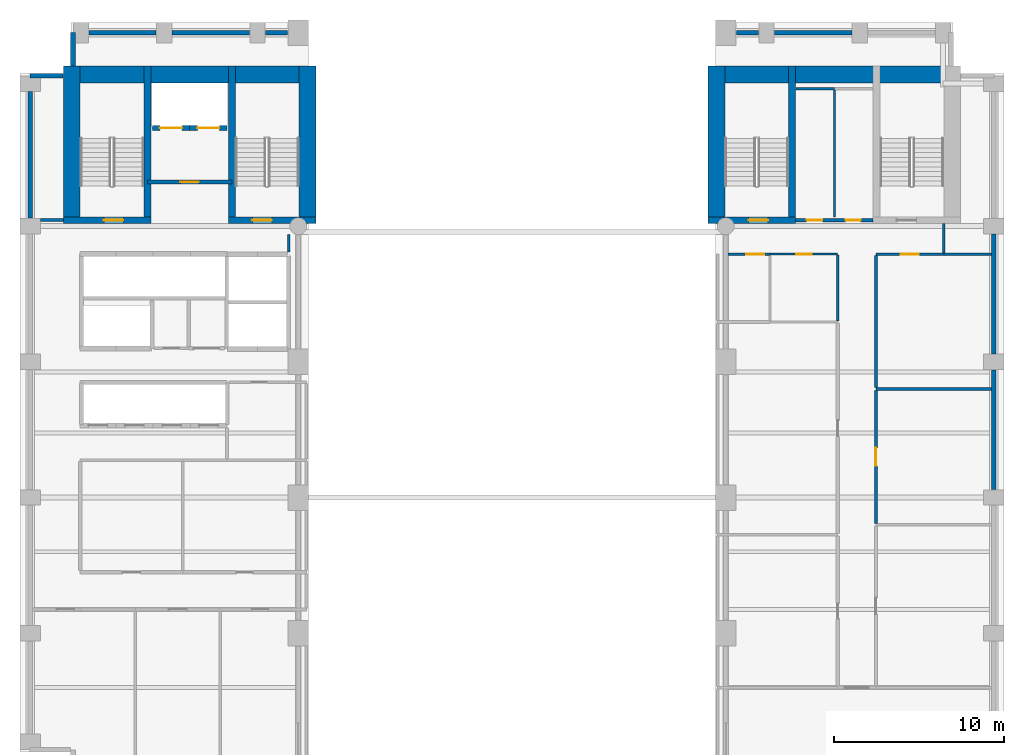
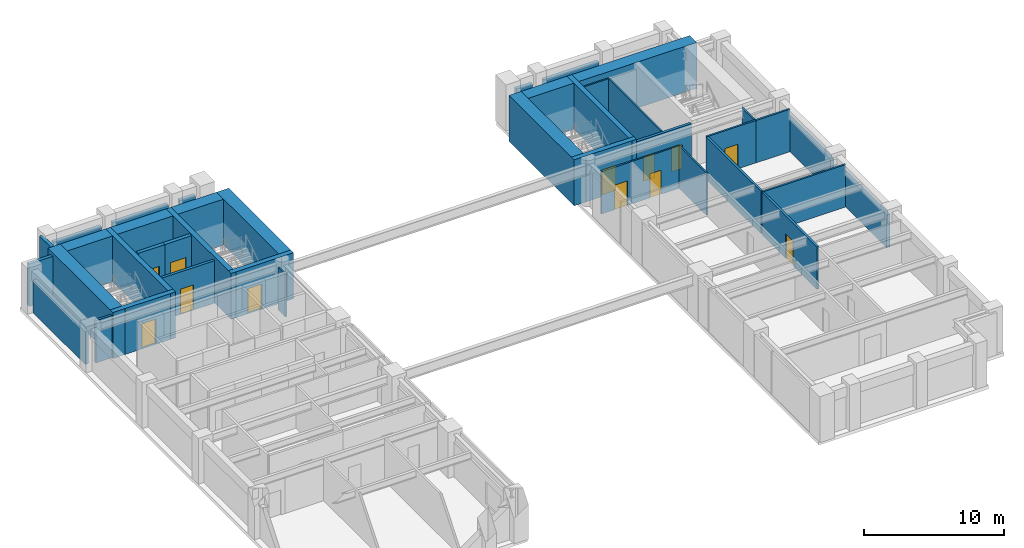
# One storey, part 4 of 7: 38 walls, 12 doors, 12 openings.
"""IFC4 building model written with IfcOpenShell, lengths in metres."""

from ifc_helpers import new_model, si_unit, direction, frame, frame_2d, origin, place, context, subcontext, project, spatial, rectangle, extrude, material, layer, layer_set, type_object, element, fill, save


model = new_model("IFC4")

# Units and contexts
model_context = context("Model", 3, precision=1e-05, world=origin(), true_north=direction((0.0, 1.0)))
body_context = subcontext(model_context, "Body", "Model", "MODEL_VIEW")
ifc_project = project(units=[si_unit("LENGTHUNIT", "METRE"), si_unit("AREAUNIT", "SQUARE_METRE"), si_unit("VOLUMEUNIT", "CUBIC_METRE"), si_unit("PLANEANGLEUNIT", "RADIAN"), si_unit("MASSUNIT", "GRAM", prefix="KILO")], contexts=[model_context])

# Site, building, storey
site_placement = place(None, origin())
site = spatial("IfcSite", under=ifc_project, at=site_placement, CompositionType="ELEMENT")
building_placement = place(site_placement, origin())
building = spatial("IfcBuilding", under=site, at=building_placement, Name="Sulina Concourse Tower", CompositionType="ELEMENT")
storey_placement = place(building_placement, frame((0.0, 0.0, 34.60009765625)))
storey = spatial("IfcBuildingStorey", under=building, at=storey_placement, Name="L08", CompositionType="ELEMENT", Elevation=34.60009765625)

# Wall, opening, door
ifc_material_1 = material(Name="Concrete C50/60", Category="concrete")
ifc_layer_1 = layer(ifc_material_1, 0.300048828125)
ifc_layer_set_1 = layer_set([ifc_layer_1], Name="Concrete C50/60")
wall_type_1 = type_object("IfcWallType", Name="Core Lift Hoistway Wall 300mm", PredefinedType="SOLIDWALL", material=ifc_layer_set_1)
wall_1_placement = place(storey_placement, frame((10.0, 39.780029296875, 0.0), z_axis=(0.0, 0.0, 1.0), x_axis=(-1.0, 0.0, 0.0)))
wall_1 = element("IfcWall", 1, at=wall_1_placement, inside=storey, type_object=wall_type_1, Name="L08 hoistway enclosure wall FFL-1", PredefinedType="SOLIDWALL", context=body_context, shape_type="SweptSolid", body=[
    extrude(rectangle(XDim=2.199951171875, YDim=0.300048828125, at=frame_2d((1.10009765625, 0.0))), origin(), (0.0, 0.0, 1.0), 4.0),
])
opening_1_placement = place(wall_1_placement, frame((0.449951171875, 0.0, 0.0)))
opening_1 = element("IfcOpeningElement", 2, at=opening_1_placement, cuts=wall_1, Name="Opening LD-02", PredefinedType="OPENING", context=body_context, shape_type="SweptSolid", body=[
    extrude(rectangle(XDim=1.300048828125, YDim=2.25, at=frame_2d((0.64990234375, 1.125))), frame((0.0, 0.159912109375, 0.0), z_axis=(0.0, -1.0, 0.0), x_axis=(1.0, 0.0, 0.0)), (0.0, 0.0, 1.0), 0.320068359375),
])
ifc_material_2 = material(Name="Stainless steel lift landing door", Category="steel")
ifc_layer_2 = layer(ifc_material_2, 0.050048828125)
ifc_layer_set_2 = layer_set([ifc_layer_2], Name="Stainless steel lift landing door")
door_type_1 = type_object("IfcDoorType", Name="Firefighting Lift Sliding Landing Door 1300x2250", OperationType="SLIDING_TO_RIGHT", PredefinedType="DOOR", material=ifc_layer_set_2)
door_1_placement = place(opening_1_placement, origin())
door_1 = element("IfcDoor", 3, at=door_1_placement, inside=storey, type_object=door_type_1, Name="L08 lift landing sliding door FFL-1", OperationType="SLIDING_TO_LEFT", OverallHeight=2.25, OverallWidth=1.300048828125, PredefinedType="DOOR", context=body_context, shape_type="SweptSolid", body=[
    extrude(rectangle(XDim=1.300048828125, YDim=2.25, at=frame_2d((0.64990234375, 1.125))), frame((0.0, 0.02490234375, 0.0), z_axis=(0.0, -1.0, 0.0), x_axis=(1.0, 0.0, 0.0)), (0.0, 0.0, 1.0), 0.050048828125),
])
fill(opening_1, door_1)

wall_2_placement = place(storey_placement, frame((12.199951171875, 39.780029296875, 0.0), z_axis=(0.0, 0.0, 1.0), x_axis=(-1.0, 0.0, 0.0)))
wall_2 = element("IfcWall", 4, at=wall_2_placement, inside=storey, type_object=wall_type_1, Name="L08 hoistway enclosure wall FFL-2", PredefinedType="SOLIDWALL", context=body_context, shape_type="SweptSolid", body=[
    extrude(rectangle(XDim=2.199951171875, YDim=0.300048828125, at=frame_2d((1.10009765625, 0.0))), origin(), (0.0, 0.0, 1.0), 4.0),
])
opening_2_placement = place(wall_2_placement, frame((0.449951171875, 0.0, 0.0)))
opening_2 = element("IfcOpeningElement", 5, at=opening_2_placement, cuts=wall_2, Name="Opening LD-02", PredefinedType="OPENING", context=body_context, shape_type="SweptSolid", body=[
    extrude(rectangle(XDim=1.300048828125, YDim=2.25, at=frame_2d((0.64990234375, 1.125))), frame((0.0, 0.159912109375, 0.0), z_axis=(0.0, -1.0, 0.0), x_axis=(1.0, 0.0, 0.0)), (0.0, 0.0, 1.0), 0.320068359375),
])
door_2_placement = place(opening_2_placement, origin())
door_2 = element("IfcDoor", 6, at=door_2_placement, inside=storey, type_object=door_type_1, Name="L08 lift landing sliding door FFL-2", OperationType="SLIDING_TO_RIGHT", OverallHeight=2.25, OverallWidth=1.300048828125, PredefinedType="DOOR", context=body_context, shape_type="SweptSolid", body=[
    extrude(rectangle(XDim=1.300048828125, YDim=2.25, at=frame_2d((0.64990234375, 1.125))), frame((0.0, 0.02490234375, 0.0), z_axis=(0.0, -1.0, 0.0), x_axis=(1.0, 0.0, 0.0)), (0.0, 0.0, 1.0), 0.050048828125),
])
fill(opening_2, door_2)

ifc_material_3 = material(Name="Gypsum board on steel stud", Category="steel")
ifc_layer_3 = layer(ifc_material_3, 0.219970703125)
ifc_layer_set_3 = layer_set([ifc_layer_3], Name="Gypsum board on steel stud")
wall_type_2 = type_object("IfcWallType", Name="Fire-Rated Lobby & Compartment Wall 220mm", PredefinedType="PARTITIONING", material=ifc_layer_set_3)
wall_3_placement = place(storey_placement, frame((7.510009765625, 36.60009765625, 0.0), z_axis=(0.0, 0.0, 1.0), x_axis=(1.0, 0.0, 0.0)))
wall_3 = element("IfcWall", 7, at=wall_3_placement, inside=storey, type_object=wall_type_2, Name="L08 firefighting lobby south fire wall", PredefinedType="PARTITIONING", context=body_context, shape_type="SweptSolid", body=[
    extrude(rectangle(XDim=4.97998046875, YDim=0.219970703125, at=frame_2d((2.489990234375, 0.0))), origin(), (0.0, 0.0, 1.0), 3.699951171875),
])
opening_3_placement = place(wall_3_placement, frame((1.93994140625, 0.0, 0.0)))
opening_3 = element("IfcOpeningElement", 8, at=opening_3_placement, cuts=wall_3, Name="Opening DR-47", PredefinedType="OPENING", context=body_context, shape_type="SweptSolid", body=[
    extrude(rectangle(XDim=1.10009765625, YDim=2.199951171875, at=frame_2d((0.550048828125, 1.10009765625))), frame((0.0, 0.119873046875, 0.0), z_axis=(0.0, -1.0, 0.0), x_axis=(1.0, 0.0, 0.0)), (0.0, 0.0, 1.0), 0.239990234375),
])
ifc_material_4 = material(Name="Galvanised steel acoustic fire leaf", Category="steel")
ifc_layer_4 = layer(ifc_material_4, 0.054931640625)
ifc_layer_set_4 = layer_set([ifc_layer_4], Name="Galvanised steel acoustic fire leaf")
door_type_2 = type_object("IfcDoorType", Name="Firefighting Lobby Fire Door 1100x2200", OperationType="NOTDEFINED", PredefinedType="DOOR", material=ifc_layer_set_4)
door_3_placement = place(opening_3_placement, origin())
door_3 = element("IfcDoor", 9, at=door_3_placement, inside=storey, type_object=door_type_2, Name="L08 firefighting lobby fire door", OperationType="SINGLE_SWING_LEFT", OverallHeight=2.199951171875, OverallWidth=1.10009765625, PredefinedType="DOOR", context=body_context, shape_type="SweptSolid", body=[
    extrude(rectangle(XDim=1.10009765625, YDim=2.199951171875, at=frame_2d((0.550048828125, 1.10009765625))), frame((0.0, 0.02490234375, 0.0), z_axis=(0.0, -1.0, 0.0), x_axis=(1.0, 0.0, 0.0)), (0.0, 0.0, 1.0), 0.050048828125),
])
fill(opening_3, door_3)

# Wall, openings, doors
wall_4_placement = place(storey_placement, frame((45.719970703125, 34.35009765625, 0.0), z_axis=(0.0, 0.0, 1.0), x_axis=(1.0, 0.0, 0.0)))
wall_4 = element("IfcWall", 10, at=wall_4_placement, inside=storey, type_object=wall_type_2, Name="L08 east core south lobby wall", PredefinedType="PARTITIONING", context=body_context, shape_type="SweptSolid", body=[
    extrude(rectangle(XDim=4.56005859375, YDim=0.219970703125, at=frame_2d((2.280029296875, 0.0))), origin(), (0.0, 0.0, 1.0), 3.699951171875),
])
opening_4_placement = place(wall_4_placement, frame((0.64990234375, 0.0, 0.0)))
opening_4 = element("IfcOpeningElement", 11, at=opening_4_placement, cuts=wall_4, Name="Opening DR-61", PredefinedType="OPENING", context=body_context, shape_type="SweptSolid", body=[
    extrude(rectangle(XDim=0.919921875, YDim=2.10009765625, at=frame_2d((0.4599609375, 1.050048828125))), frame((0.0, 0.119873046875, 0.0), z_axis=(0.0, -1.0, 0.0), x_axis=(1.0, 0.0, 0.0)), (0.0, 0.0, 1.0), 0.239990234375),
])
opening_5_placement = place(wall_4_placement, frame((2.949951171875, 0.0, 0.0)))
opening_5 = element("IfcOpeningElement", 12, at=opening_5_placement, cuts=wall_4, Name="Opening DR-38", PredefinedType="OPENING", context=body_context, shape_type="SweptSolid", body=[
    extrude(rectangle(XDim=0.8798828125, YDim=2.10009765625, at=frame_2d((0.43994140625, 1.050048828125))), frame((0.0, 0.119873046875, 0.0), z_axis=(0.0, -1.0, 0.0), x_axis=(1.0, 0.0, 0.0)), (0.0, 0.0, 1.0), 0.239990234375),
])
ifc_material_5 = material(Name="Oak-veneered fire door leaf")
ifc_layer_5 = layer(ifc_material_5, 0.050048828125)
ifc_layer_set_5 = layer_set([ifc_layer_5], Name="Oak-veneered fire door leaf")
door_type_3 = type_object("IfcDoorType", Name="Accessible WC Door 920x2100", OperationType="NOTDEFINED", PredefinedType="DOOR", material=ifc_layer_set_5)
door_4_placement = place(opening_4_placement, origin())
door_4 = element("IfcDoor", 13, at=door_4_placement, inside=storey, type_object=door_type_3, Name="L08 east core accessible wc door", OperationType="SINGLE_SWING_LEFT", OverallHeight=2.10009765625, OverallWidth=0.919921875, PredefinedType="DOOR", context=body_context, shape_type="SweptSolid", body=[
    extrude(rectangle(XDim=0.919921875, YDim=2.10009765625, at=frame_2d((0.4599609375, 1.050048828125))), frame((0.0, 0.02490234375, 0.0), z_axis=(0.0, -1.0, 0.0), x_axis=(1.0, 0.0, 0.0)), (0.0, 0.0, 1.0), 0.050048828125),
])
fill(opening_4, door_4)
ifc_material_6 = material(Name="Galvanised steel acoustic fire leaf", Category="steel")
ifc_layer_6 = layer(ifc_material_6, 0.050048828125)
ifc_layer_set_6 = layer_set([ifc_layer_6], Name="Galvanised steel acoustic fire leaf")
door_type_4 = type_object("IfcDoorType", Name="Service Riser Fire Door 880x2100", OperationType="NOTDEFINED", PredefinedType="DOOR", material=ifc_layer_set_6)
door_5_placement = place(opening_5_placement, origin())
door_5 = element("IfcDoor", 14, at=door_5_placement, inside=storey, type_object=door_type_4, Name="L08 east core store door", OperationType="SINGLE_SWING_RIGHT", OverallHeight=2.10009765625, OverallWidth=0.8798828125, PredefinedType="DOOR", context=body_context, shape_type="SweptSolid", body=[
    extrude(rectangle(XDim=0.8798828125, YDim=2.10009765625, at=frame_2d((0.43994140625, 1.050048828125))), frame((0.0, 0.02490234375, 0.0), z_axis=(0.0, -1.0, 0.0), x_axis=(1.0, 0.0, 0.0)), (0.0, 0.0, 1.0), 0.050048828125),
])
fill(opening_5, door_5)

# Wall
ifc_material_7 = material(Name="Gypsum board on steel stud", Category="steel")
ifc_layer_7 = layer(ifc_material_7, 0.14990234375)
ifc_layer_set_7 = layer_set([ifc_layer_7], Name="Gypsum board on steel stud")
wall_type_3 = type_object("IfcWallType", Name="Inter-Tenancy Acoustic Partition 150mm", PredefinedType="PARTITIONING", material=ifc_layer_set_7)
wall_5_placement = place(storey_placement, frame((50.449951171875, 24.39990234375, 0.0), z_axis=(0.0, 0.0, 1.0), x_axis=(1.0, 0.0, 0.0)))
element("IfcWall", 15, at=wall_5_placement, inside=storey, type_object=wall_type_3, Name="L08 interior partition 015", PredefinedType="PARTITIONING", context=body_context, shape_type="SweptSolid", body=[
    extrude(rectangle(XDim=6.81005859375, YDim=0.14990234375, at=frame_2d((3.405029296875, 0.0))), origin(), (0.0, 0.0, 1.0), 3.699951171875),
])

# Wall, opening, door
wall_6_placement = place(storey_placement, frame((41.739990234375, 32.35009765625, 0.0), z_axis=(0.0, 0.0, 1.0), x_axis=(1.0, 0.0, 0.0)))
wall_6 = element("IfcWall", 16, at=wall_6_placement, inside=storey, type_object=wall_type_3, Name="L08 interior partition 022", PredefinedType="PARTITIONING", context=body_context, shape_type="SweptSolid", body=[
    extrude(rectangle(XDim=2.4599609375, YDim=0.14990234375, at=frame_2d((1.22998046875, 0.0))), origin(), (0.0, 0.0, 1.0), 3.699951171875),
])
opening_6_placement = place(wall_6_placement, frame((1.06494140625, 0.0, 0.0)))
opening_6 = element("IfcOpeningElement", 17, at=opening_6_placement, cuts=wall_6, Name="Opening DR-37", PredefinedType="OPENING", context=body_context, shape_type="SweptSolid", body=[
    extrude(rectangle(XDim=1.050048828125, YDim=2.14990234375, at=frame_2d((0.52490234375, 1.074951171875))), frame((0.0, 0.0849609375, 0.0), z_axis=(0.0, -1.0, 0.0), x_axis=(1.0, 0.0, 0.0)), (0.0, 0.0, 1.0), 0.169921875),
])
ifc_material_8 = material(Name="Oak-veneered fire door leaf")
ifc_layer_8 = layer(ifc_material_8, 0.050048828125)
ifc_layer_set_8 = layer_set([ifc_layer_8], Name="Oak-veneered fire door leaf")
door_type_5 = type_object("IfcDoorType", Name="Tenant Suite Entrance Fire Door 1050x2150", OperationType="NOTDEFINED", PredefinedType="DOOR", material=ifc_layer_set_8)
door_6_placement = place(opening_6_placement, origin())
door_6 = element("IfcDoor", 18, at=door_6_placement, inside=storey, type_object=door_type_5, Name="L08 interior door L08-REC-EW", OperationType="SINGLE_SWING_LEFT", OverallHeight=2.14990234375, OverallWidth=1.050048828125, PredefinedType="DOOR", context=body_context, shape_type="SweptSolid", body=[
    extrude(rectangle(XDim=1.050048828125, YDim=2.14990234375, at=frame_2d((0.52490234375, 1.074951171875))), frame((0.0, 0.02490234375, 0.0), z_axis=(0.0, -1.0, 0.0), x_axis=(1.0, 0.0, 0.0)), (0.0, 0.0, 1.0), 0.050048828125),
])
fill(opening_6, door_6)

wall_7_placement = place(storey_placement, frame((50.449951171875, 32.35009765625, 0.0), z_axis=(0.0, 0.0, 1.0), x_axis=(1.0, 0.0, 0.0)))
wall_7 = element("IfcWall", 19, at=wall_7_placement, inside=storey, type_object=wall_type_3, Name="L08 interior partition 024", PredefinedType="PARTITIONING", context=body_context, shape_type="SweptSolid", body=[
    extrude(rectangle(XDim=4.0, YDim=0.14990234375, at=frame_2d((2.0, 0.0))), origin(), (0.0, 0.0, 1.0), 3.699951171875),
])
opening_7_placement = place(wall_7_placement, frame((1.47509765625, 0.0, 0.0)))
opening_7 = element("IfcOpeningElement", 20, at=opening_7_placement, cuts=wall_7, Name="Opening DR-37", PredefinedType="OPENING", context=body_context, shape_type="SweptSolid", body=[
    extrude(rectangle(XDim=1.050048828125, YDim=2.14990234375, at=frame_2d((0.52490234375, 1.074951171875))), frame((0.0, 0.0849609375, 0.0), z_axis=(0.0, -1.0, 0.0), x_axis=(1.0, 0.0, 0.0)), (0.0, 0.0, 1.0), 0.169921875),
])
door_7_placement = place(opening_7_placement, origin())
door_7 = element("IfcDoor", 21, at=door_7_placement, inside=storey, type_object=door_type_5, Name="L08 interior door L08-OFF-E3", OperationType="SINGLE_SWING_LEFT", OverallHeight=2.14990234375, OverallWidth=1.050048828125, PredefinedType="DOOR", context=body_context, shape_type="SweptSolid", body=[
    extrude(rectangle(XDim=1.050048828125, YDim=2.14990234375, at=frame_2d((0.52490234375, 1.074951171875))), frame((0.0, 0.02490234375, 0.0), z_axis=(0.0, -1.0, 0.0), x_axis=(1.0, 0.0, 0.0)), (0.0, 0.0, 1.0), 0.050048828125),
])
fill(opening_7, door_7)

# Walls
wall_8_placement = place(storey_placement, frame((54.449951171875, 32.35009765625, 0.0), z_axis=(0.0, 0.0, 1.0), x_axis=(1.0, 0.0, 0.0)))
element("IfcWall", 22, at=wall_8_placement, inside=storey, type_object=wall_type_3, Name="L08 interior partition 025", PredefinedType="PARTITIONING", context=body_context, shape_type="SweptSolid", body=[
    extrude(rectangle(XDim=2.81005859375, YDim=0.14990234375, at=frame_2d((1.405029296875, 0.0))), origin(), (0.0, 0.0, 1.0), 3.699951171875),
])
wall_9_placement = place(storey_placement, frame((15.85009765625, 32.469970703125, 0.0), z_axis=(0.0, 0.0, 1.0), x_axis=(0.0, 1.0, 0.0)))
element("IfcWall", 23, at=wall_9_placement, inside=storey, type_object=wall_type_3, Name="L08 interior partition 035", PredefinedType="PARTITIONING", context=body_context, shape_type="SweptSolid", body=[
    extrude(rectangle(XDim=1.030029296875, YDim=0.14990234375, at=frame_2d((0.51513671875, 0.0))), origin(), (0.0, 0.0, 1.0), 3.699951171875),
])
wall_10_placement = place(storey_placement, frame((54.449951171875, 32.425048828125, 0.0), z_axis=(0.0, 0.0, 1.0), x_axis=(0.0, 1.0, 0.0)))
element("IfcWall", 24, at=wall_10_placement, inside=storey, type_object=wall_type_3, Name="L08 interior partition 056", PredefinedType="PARTITIONING", context=body_context, shape_type="SweptSolid", body=[
    extrude(rectangle(XDim=1.724853515625, YDim=0.14990234375, at=frame_2d((0.8623046875, 0.0))), origin(), (0.0, 0.0, 1.0), 3.699951171875),
])
ifc_material_9 = material(Name="Gypsum board on steel stud", Category="steel")
ifc_layer_9 = layer(ifc_material_9, 0.179931640625)
ifc_layer_set_9 = layer_set([ifc_layer_9], Name="Gypsum board on steel stud")
wall_type_4 = type_object("IfcWallType", Name="Protected Corridor & Riser Partition 180mm", PredefinedType="PARTITIONING", material=ifc_layer_set_9)
wall_11_placement = place(storey_placement, frame((1.199951171875, 34.35009765625, 0.0), z_axis=(0.0, 0.0, 1.0), x_axis=(1.0, 0.0, 0.0)))
element("IfcWall", 25, at=wall_11_placement, inside=storey, type_object=wall_type_4, Name="L08 interior partition 026", PredefinedType="PARTITIONING", context=body_context, shape_type="SweptSolid", body=[
    extrude(rectangle(XDim=1.35009765625, YDim=0.179931640625, at=frame_2d((0.675048828125, 0.0))), origin(), (0.0, 0.0, 1.0), 3.699951171875),
])

# Wall, opening, door
wall_12_placement = place(storey_placement, frame((50.449951171875, 16.47509765625, 0.0), z_axis=(0.0, 0.0, 1.0), x_axis=(0.0, 1.0, 0.0)))
wall_12 = element("IfcWall", 26, at=wall_12_placement, inside=storey, type_object=wall_type_4, Name="L08 interior partition 054", PredefinedType="PARTITIONING", context=body_context, shape_type="SweptSolid", body=[
    extrude(rectangle(XDim=7.849853515625, YDim=0.179931640625, at=frame_2d((3.9248046875, 0.0))), origin(), (0.0, 0.0, 1.0), 3.699951171875),
])
opening_8_placement = place(wall_12_placement, frame((3.39990234375, 0.0, 0.0)))
opening_8 = element("IfcOpeningElement", 27, at=opening_8_placement, cuts=wall_12, Name="Opening DR-37", PredefinedType="OPENING", context=body_context, shape_type="SweptSolid", body=[
    extrude(rectangle(XDim=1.050048828125, YDim=2.14990234375, at=frame_2d((0.52490234375, 1.074951171875))), frame((0.0, 0.099853515625, 0.0), z_axis=(0.0, -1.0, 0.0), x_axis=(1.0, 0.0, 0.0)), (0.0, 0.0, 1.0), 0.199951171875),
])
door_8_placement = place(opening_8_placement, origin())
door_8 = element("IfcDoor", 28, at=door_8_placement, inside=storey, type_object=door_type_5, Name="L08 interior door L08-OFF-E2", OperationType="SINGLE_SWING_LEFT", OverallHeight=2.14990234375, OverallWidth=1.050048828125, PredefinedType="DOOR", context=body_context, shape_type="SweptSolid", body=[
    extrude(rectangle(XDim=1.050048828125, YDim=2.14990234375, at=frame_2d((0.52490234375, 1.074951171875))), frame((0.0, 0.02490234375, 0.0), z_axis=(0.0, -1.0, 0.0), x_axis=(1.0, 0.0, 0.0)), (0.0, 0.0, 1.0), 0.050048828125),
])
fill(opening_8, door_8)

# Wall
wall_13_placement = place(storey_placement, frame((50.449951171875, 24.47509765625, 0.0), z_axis=(0.0, 0.0, 1.0), x_axis=(0.0, 1.0, 0.0)))
element("IfcWall", 29, at=wall_13_placement, inside=storey, type_object=wall_type_4, Name="L08 interior partition 055", PredefinedType="PARTITIONING", context=body_context, shape_type="SweptSolid", body=[
    extrude(rectangle(XDim=7.7998046875, YDim=0.179931640625, at=frame_2d((3.89990234375, 0.0))), origin(), (0.0, 0.0, 1.0), 3.699951171875),
])

# Wall, opening, door
ifc_material_10 = material(Name="Concrete C60/75", Category="concrete")
ifc_layer_10 = layer(ifc_material_10, 0.39990234375)
ifc_layer_set_10 = layer_set([ifc_layer_10], Name="Concrete C60/75")
wall_type_5 = type_object("IfcWallType", Name="Protected Stair Core Shear Wall 400mm", PredefinedType="SHEAR", material=ifc_layer_set_10)
wall_14_placement = place(storey_placement, frame((2.550048828125, 34.35009765625, 0.0), z_axis=(0.0, 0.0, 1.0), x_axis=(1.0, 0.0, 0.0)))
wall_14 = element("IfcWall", 30, at=wall_14_placement, inside=storey, type_object=wall_type_5, Name="L08 west core shear wall CW-WS1", PredefinedType="SHEAR", context=body_context, shape_type="SweptSolid", body=[
    extrude(rectangle(XDim=5.159912109375, YDim=0.39990234375, at=frame_2d((2.580078125, 0.0))), origin(), (0.0, 0.0, 1.0), 4.0),
])
opening_9_placement = place(wall_14_placement, frame((2.39990234375, 0.0, 0.0)))
opening_9 = element("IfcOpeningElement", 31, at=opening_9_placement, cuts=wall_14, Name="Opening DR-60", PredefinedType="OPENING", context=body_context, shape_type="SweptSolid", body=[
    extrude(rectangle(XDim=1.14990234375, YDim=2.199951171875, at=frame_2d((0.574951171875, 1.10009765625))), frame((0.0, 0.2099609375, 0.0), z_axis=(0.0, -1.0, 0.0), x_axis=(1.0, 0.0, 0.0)), (0.0, 0.0, 1.0), 0.419921875),
])
ifc_material_11 = material(Name="Galvanised steel acoustic fire leaf", Category="steel")
ifc_layer_11 = layer(ifc_material_11, 0.054931640625)
ifc_layer_set_11 = layer_set([ifc_layer_11], Name="Galvanised steel acoustic fire leaf")
door_type_6 = type_object("IfcDoorType", Name="Protected Exit Stair Fire Door 1150x2200", OperationType="NOTDEFINED", PredefinedType="DOOR", material=ifc_layer_set_11)
door_9_placement = place(opening_9_placement, origin())
door_9 = element("IfcDoor", 32, at=door_9_placement, inside=storey, type_object=door_type_6, Name="L08 stair ST-1 lobby fire door", OperationType="SINGLE_SWING_LEFT", OverallHeight=2.199951171875, OverallWidth=1.14990234375, PredefinedType="DOOR", context=body_context, shape_type="SweptSolid", body=[
    extrude(rectangle(XDim=1.14990234375, YDim=2.199951171875, at=frame_2d((0.574951171875, 1.10009765625))), frame((0.0, 0.02490234375, 0.0), z_axis=(0.0, -1.0, 0.0), x_axis=(1.0, 0.0, 0.0)), (0.0, 0.0, 1.0), 0.050048828125),
])
fill(opening_9, door_9)

wall_15_placement = place(storey_placement, frame((12.2900390625, 34.35009765625, 0.0), z_axis=(0.0, 0.0, 1.0), x_axis=(1.0, 0.0, 0.0)))
wall_15 = element("IfcWall", 33, at=wall_15_placement, inside=storey, type_object=wall_type_5, Name="L08 west core shear wall CW-WS2", PredefinedType="SHEAR", context=body_context, shape_type="SweptSolid", body=[
    extrude(rectangle(XDim=5.159912109375, YDim=0.39990234375, at=frame_2d((2.580078125, 0.0))), origin(), (0.0, 0.0, 1.0), 4.0),
])
opening_10_placement = place(wall_15_placement, frame((1.39990234375, 0.0, 0.0)))
opening_10 = element("IfcOpeningElement", 34, at=opening_10_placement, cuts=wall_15, Name="Opening DR-60", PredefinedType="OPENING", context=body_context, shape_type="SweptSolid", body=[
    extrude(rectangle(XDim=1.14990234375, YDim=2.199951171875, at=frame_2d((0.574951171875, 1.10009765625))), frame((0.0, 0.2099609375, 0.0), z_axis=(0.0, -1.0, 0.0), x_axis=(1.0, 0.0, 0.0)), (0.0, 0.0, 1.0), 0.419921875),
])
door_10_placement = place(opening_10_placement, origin())
door_10 = element("IfcDoor", 35, at=door_10_placement, inside=storey, type_object=door_type_6, Name="L08 stair ST-2 lobby fire door", OperationType="SINGLE_SWING_RIGHT", OverallHeight=2.199951171875, OverallWidth=1.14990234375, PredefinedType="DOOR", context=body_context, shape_type="SweptSolid", body=[
    extrude(rectangle(XDim=1.14990234375, YDim=2.199951171875, at=frame_2d((0.574951171875, 1.10009765625))), frame((0.0, 0.02490234375, 0.0), z_axis=(0.0, -1.0, 0.0), x_axis=(1.0, 0.0, 0.0)), (0.0, 0.0, 1.0), 0.050048828125),
])
fill(opening_10, door_10)

# Walls
for number, where, z_axis, x_axis, name in (
    (36, (7.510009765625, 34.14990234375, 0.0), (0.0, 0.0, 1.0), (0.0, 1.0, 0.0), "L08 west core shear wall SW-ST1"),
    (37, (12.489990234375, 34.14990234375, 0.0), (0.0, 0.0, 1.0), (0.0, 1.0, 0.0), "L08 west core shear wall SW-ST2"),
):
    element("IfcWall", number, at=place(storey_placement, frame(where, z_axis=z_axis, x_axis=x_axis)), inside=storey, type_object=wall_type_5, Name=name, PredefinedType="SHEAR", context=body_context, shape_type="SweptSolid", body=[
        extrude(rectangle(XDim=9.280029296875, YDim=0.39990234375, at=frame_2d((4.64013671875, 0.0))), origin(), (0.0, 0.0, 1.0), 4.0),
    ])

# Wall, opening, door
wall_16_placement = place(storey_placement, frame((40.550048828125, 34.35009765625, 0.0), z_axis=(0.0, 0.0, 1.0), x_axis=(1.0, 0.0, 0.0)))
wall_16 = element("IfcWall", 38, at=wall_16_placement, inside=storey, type_object=wall_type_5, Name="L08 east core shear wall CW-ES1", PredefinedType="SHEAR", context=body_context, shape_type="SweptSolid", body=[
    extrude(rectangle(XDim=5.159912109375, YDim=0.39990234375, at=frame_2d((2.580078125, 0.0))), origin(), (0.0, 0.0, 1.0), 4.0),
])
opening_11_placement = place(wall_16_placement, frame((2.39990234375, 0.0, 0.0)))
opening_11 = element("IfcOpeningElement", 39, at=opening_11_placement, cuts=wall_16, Name="Opening DR-60", PredefinedType="OPENING", context=body_context, shape_type="SweptSolid", body=[
    extrude(rectangle(XDim=1.14990234375, YDim=2.199951171875, at=frame_2d((0.574951171875, 1.10009765625))), frame((0.0, 0.2099609375, 0.0), z_axis=(0.0, -1.0, 0.0), x_axis=(1.0, 0.0, 0.0)), (0.0, 0.0, 1.0), 0.419921875),
])
door_11_placement = place(opening_11_placement, origin())
door_11 = element("IfcDoor", 40, at=door_11_placement, inside=storey, type_object=door_type_6, Name="L08 stair ST-3 south lobby fire door", OperationType="SINGLE_SWING_RIGHT", OverallHeight=2.199951171875, OverallWidth=1.14990234375, PredefinedType="DOOR", context=body_context, shape_type="SweptSolid", body=[
    extrude(rectangle(XDim=1.14990234375, YDim=2.199951171875, at=frame_2d((0.574951171875, 1.10009765625))), frame((0.0, 0.02490234375, 0.0), z_axis=(0.0, -1.0, 0.0), x_axis=(1.0, 0.0, 0.0)), (0.0, 0.0, 1.0), 0.050048828125),
])
fill(opening_11, door_11)

# Walls
wall_17_placement = place(storey_placement, frame((45.510009765625, 34.14990234375, 0.0), z_axis=(0.0, 0.0, 1.0), x_axis=(0.0, 1.0, 0.0)))
element("IfcWall", 41, at=wall_17_placement, inside=storey, type_object=wall_type_5, Name="L08 east core shear wall SW-ST3", PredefinedType="SHEAR", context=body_context, shape_type="SweptSolid", body=[
    extrude(rectangle(XDim=9.280029296875, YDim=0.39990234375, at=frame_2d((4.64013671875, 0.0))), origin(), (0.0, 0.0, 1.0), 4.0),
])
ifc_material_12 = material(Name="Concrete C80/95", Category="concrete")
ifc_layer_12 = layer(ifc_material_12, 1.0)
ifc_layer_set_12 = layer_set([ifc_layer_12], Name="Concrete C80/95")
wall_type_6 = type_object("IfcWallType", Name="Rear Core Shear Wall 1000mm", PredefinedType="SHEAR", material=ifc_layer_set_12)
wall_18_placement = place(storey_placement, frame((2.550048828125, 42.929931640625, 0.0), z_axis=(0.0, 0.0, 1.0), x_axis=(1.0, 0.0, 0.0)))
element("IfcWall", 42, at=wall_18_placement, inside=storey, type_object=wall_type_6, Name="L08 west core shear wall CW-WN", PredefinedType="SHEAR", context=body_context, shape_type="SweptSolid", body=[
    extrude(rectangle(XDim=14.89990234375, YDim=1.0, at=frame_2d((7.449951171875, 0.0))), origin(), (0.0, 0.0, 1.0), 4.0),
])
for number, where, z_axis, x_axis, name in (
    (43, (3.050048828125, 34.14990234375, 0.0), (0.0, 0.0, 1.0), (0.0, 1.0, 0.0), "L08 west core shear wall CW-WW"),
    (44, (16.949951171875, 34.14990234375, 0.0), (0.0, 0.0, 1.0), (0.0, 1.0, 0.0), "L08 west core shear wall CW-WE"),
):
    element("IfcWall", number, at=place(storey_placement, frame(where, z_axis=z_axis, x_axis=x_axis)), inside=storey, type_object=wall_type_6, Name=name, PredefinedType="SHEAR", context=body_context, shape_type="SweptSolid", body=[
        extrude(rectangle(XDim=9.280029296875, YDim=1.0, at=frame_2d((4.64013671875, 0.0))), origin(), (0.0, 0.0, 1.0), 4.0),
    ])
wall_19_placement = place(storey_placement, frame((40.550048828125, 42.929931640625, 0.0), z_axis=(0.0, 0.0, 1.0), x_axis=(1.0, 0.0, 0.0)))
element("IfcWall", 45, at=wall_19_placement, inside=storey, type_object=wall_type_6, Name="L08 east core shear wall CW-EN", PredefinedType="SHEAR", context=body_context, shape_type="SweptSolid", body=[
    extrude(rectangle(XDim=14.89990234375, YDim=1.0, at=frame_2d((7.449951171875, 0.0))), origin(), (0.0, 0.0, 1.0), 4.0),
])
wall_20_placement = place(storey_placement, frame((41.050048828125, 34.14990234375, 0.0), z_axis=(0.0, 0.0, 1.0), x_axis=(0.0, 1.0, 0.0)))
element("IfcWall", 46, at=wall_20_placement, inside=storey, type_object=wall_type_6, Name="L08 east core shear wall CW-EW", PredefinedType="SHEAR", context=body_context, shape_type="SweptSolid", body=[
    extrude(rectangle(XDim=9.280029296875, YDim=1.0, at=frame_2d((4.64013671875, 0.0))), origin(), (0.0, 0.0, 1.0), 4.0),
])
ifc_material_13 = material(Name="Precast concrete C50/60", Category="concrete")
ifc_layer_13 = layer(ifc_material_13, 0.280029296875)
ifc_layer_set_13 = layer_set([ifc_layer_13], Name="Precast concrete C50/60")
wall_type_7 = type_object("IfcWallType", Name="Typical Precast Masonry-Frame Facade Wall 280mm", PredefinedType="SOLIDWALL", material=ifc_layer_set_13)
wall_21_placement = place(storey_placement, frame((0.60009765625, 34.469970703125, 0.0), z_axis=(0.0, 0.0, 1.0), x_axis=(0.0, 1.0, 0.0)))
element("IfcWall", 47, at=wall_21_placement, inside=storey, type_object=wall_type_7, Name="L08 exterior precast wall W5", PredefinedType="SOLIDWALL", context=body_context, shape_type="SweptSolid", body=[
    extrude(rectangle(XDim=7.4599609375, YDim=0.280029296875, at=frame_2d((3.72998046875, 0.0))), origin(), (0.0, 0.0, 1.0), 2.849853515625),
])
wall_22_placement = place(storey_placement, frame((4.070068359375, 45.39990234375, 0.0), z_axis=(0.0, 0.0, 1.0), x_axis=(1.0, 0.0, 0.0)))
element("IfcWall", 48, at=wall_22_placement, inside=storey, type_object=wall_type_7, Name="L08 exterior precast wall N1", PredefinedType="SOLIDWALL", context=body_context, shape_type="SweptSolid", body=[
    extrude(rectangle(XDim=3.9599609375, YDim=0.280029296875, at=frame_2d((1.97998046875, 0.0))), origin(), (0.0, 0.0, 1.0), 2.849853515625),
])
wall_23_placement = place(storey_placement, frame((8.969970703125, 45.39990234375, 0.0), z_axis=(0.0, 0.0, 1.0), x_axis=(1.0, 0.0, 0.0)))
element("IfcWall", 49, at=wall_23_placement, inside=storey, type_object=wall_type_7, Name="L08 exterior precast wall N2", PredefinedType="SOLIDWALL", context=body_context, shape_type="SweptSolid", body=[
    extrude(rectangle(XDim=4.56005859375, YDim=0.280029296875, at=frame_2d((2.280029296875, 0.0))), origin(), (0.0, 0.0, 1.0), 2.849853515625),
])
for number, where, z_axis, x_axis, name in (
    (50, (14.469970703125, 45.39990234375, 0.0), (0.0, 0.0, 1.0), (1.0, 0.0, 0.0), "L08 exterior precast wall N3"),
    (51, (42.219970703125, 45.39990234375, 0.0), (0.0, 0.0, 1.0), (1.0, 0.0, 0.0), "L08 exterior precast wall N5"),
):
    element("IfcWall", number, at=place(storey_placement, frame(where, z_axis=z_axis, x_axis=x_axis)), inside=storey, type_object=wall_type_7, Name=name, PredefinedType="SOLIDWALL", context=body_context, shape_type="SweptSolid", body=[
        extrude(rectangle(XDim=1.31005859375, YDim=0.280029296875, at=frame_2d((0.655029296875, 0.0))), origin(), (0.0, 0.0, 1.0), 2.849853515625),
    ])
wall_24_placement = place(storey_placement, frame((44.469970703125, 45.39990234375, 0.0), z_axis=(0.0, 0.0, 1.0), x_axis=(1.0, 0.0, 0.0)))
element("IfcWall", 52, at=wall_24_placement, inside=storey, type_object=wall_type_7, Name="L08 exterior precast wall N6", PredefinedType="SOLIDWALL", context=body_context, shape_type="SweptSolid", body=[
    extrude(rectangle(XDim=4.56005859375, YDim=0.280029296875, at=frame_2d((2.280029296875, 0.0))), origin(), (0.0, 0.0, 1.0), 2.849853515625),
])
for number, where, z_axis, x_axis, name in (
    (53, (57.39990234375, 25.530029296875, 0.0), (0.0, 0.0, 1.0), (0.0, -1.0, 0.0), "L08 exterior precast wall E3"),
    (54, (57.39990234375, 33.530029296875, 0.0), (0.0, 0.0, 1.0), (0.0, -1.0, 0.0), "L08 exterior precast wall E4"),
):
    element("IfcWall", number, at=place(storey_placement, frame(where, z_axis=z_axis, x_axis=x_axis)), inside=storey, type_object=wall_type_7, Name=name, PredefinedType="SOLIDWALL", context=body_context, shape_type="SweptSolid", body=[
        extrude(rectangle(XDim=7.06005859375, YDim=0.280029296875, at=frame_2d((3.530029296875, 0.0))), origin(), (0.0, 0.0, 1.0), 2.849853515625),
    ])
wall_25_placement = place(storey_placement, frame((0.60009765625, 42.8701171875, 0.0), z_axis=(0.0, 0.0, 1.0), x_axis=(1.0, 0.0, 0.0)))
element("IfcWall", 55, at=wall_25_placement, inside=storey, type_object=wall_type_7, Name="L08 exterior precast wall CNW1", PredefinedType="SOLIDWALL", context=body_context, shape_type="SweptSolid", body=[
    extrude(rectangle(XDim=1.94482421875, YDim=0.280029296875, at=frame_2d((0.972412109375, 0.0))), origin(), (0.0, 0.0, 1.0), 3.699951171875),
])
wall_26_placement = place(storey_placement, frame((3.1298828125, 43.43505859375, 0.0), z_axis=(0.0, 0.0, 1.0), x_axis=(0.0, 1.0, 0.0)))
element("IfcWall", 56, at=wall_26_placement, inside=storey, type_object=wall_type_7, Name="L08 exterior precast wall CNW2", PredefinedType="SOLIDWALL", context=body_context, shape_type="SweptSolid", body=[
    extrude(rectangle(XDim=1.96484375, YDim=0.280029296875, at=frame_2d((0.982421875, 0.0))), origin(), (0.0, 0.0, 1.0), 3.699951171875),
])

# Wall, opening, door
ifc_material_14 = material(Name="Gypsum board on steel stud", Category="steel")
ifc_layer_14 = layer(ifc_material_14, 0.125)
ifc_layer_set_14 = layer_set([ifc_layer_14], Name="Gypsum board on steel stud")
wall_type_8 = type_object("IfcWallType", Name="Wet-Area Moisture-Resistant Partition 125mm", PredefinedType="PARTITIONING", material=ifc_layer_set_14)
wall_27_placement = place(storey_placement, frame((44.199951171875, 32.35009765625, 0.0), z_axis=(0.0, 0.0, 1.0), x_axis=(1.0, 0.0, 0.0)))
wall_27 = element("IfcWall", 57, at=wall_27_placement, inside=storey, type_object=wall_type_8, Name="L08 interior partition 023", PredefinedType="PARTITIONING", context=body_context, shape_type="SweptSolid", body=[
    extrude(rectangle(XDim=4.0, YDim=0.125, at=frame_2d((2.0, 0.0))), origin(), (0.0, 0.0, 1.0), 3.699951171875),
])
opening_12_placement = place(wall_27_placement, frame((1.5400390625, 0.0, 0.0)))
opening_12 = element("IfcOpeningElement", 58, at=opening_12_placement, cuts=wall_27, Name="Opening DR-61", PredefinedType="OPENING", context=body_context, shape_type="SweptSolid", body=[
    extrude(rectangle(XDim=0.919921875, YDim=2.10009765625, at=frame_2d((0.4599609375, 1.050048828125))), frame((0.0, 0.072509765625, 0.0), z_axis=(0.0, -1.0, 0.0), x_axis=(1.0, 0.0, 0.0)), (0.0, 0.0, 1.0), 0.14501953125),
])
door_12_placement = place(opening_12_placement, origin())
door_12 = element("IfcDoor", 59, at=door_12_placement, inside=storey, type_object=door_type_3, Name="L08 interior door L08-WC-EA", OperationType="SINGLE_SWING_RIGHT", OverallHeight=2.10009765625, OverallWidth=0.919921875, PredefinedType="DOOR", context=body_context, shape_type="SweptSolid", body=[
    extrude(rectangle(XDim=0.919921875, YDim=2.10009765625, at=frame_2d((0.4599609375, 1.050048828125))), frame((0.0, 0.02490234375, 0.0), z_axis=(0.0, -1.0, 0.0), x_axis=(1.0, 0.0, 0.0)), (0.0, 0.0, 1.0), 0.050048828125),
])
fill(opening_12, door_12)

# Walls
wall_28_placement = place(storey_placement, frame((45.75, 42.10009765625, 0.0), z_axis=(0.0, 0.0, 1.0), x_axis=(1.0, 0.0, 0.0)))
element("IfcWall", 60, at=wall_28_placement, inside=storey, type_object=wall_type_8, Name="L08 interior partition 027", PredefinedType="PARTITIONING", context=body_context, shape_type="SweptSolid", body=[
    extrude(rectangle(XDim=2.25, YDim=0.125, at=frame_2d((1.125, 0.0))), origin(), (0.0, 0.0, 1.0), 3.699951171875),
])
wall_29_placement = place(storey_placement, frame((48.0, 34.550048828125, 0.0), z_axis=(0.0, 0.0, 1.0), x_axis=(0.0, 1.0, 0.0)))
element("IfcWall", 61, at=wall_29_placement, inside=storey, type_object=wall_type_8, Name="L08 interior partition 049", PredefinedType="PARTITIONING", context=body_context, shape_type="SweptSolid", body=[
    extrude(rectangle(XDim=7.474853515625, YDim=0.125, at=frame_2d((3.7373046875, 0.0))), origin(), (0.0, 0.0, 1.0), 3.699951171875),
])
wall_30_placement = place(storey_placement, frame((48.199951171875, 28.41259765625, 0.0), z_axis=(0.0, 0.0, 1.0), x_axis=(0.0, 1.0, 0.0)))
element("IfcWall", 62, at=wall_30_placement, inside=storey, type_object=wall_type_8, Name="L08 interior partition 052", PredefinedType="PARTITIONING", context=body_context, shape_type="SweptSolid", body=[
    extrude(rectangle(XDim=3.875, YDim=0.125, at=frame_2d((1.9375, 0.0))), origin(), (0.0, 0.0, 1.0), 3.699951171875),
])

save(model, "model.ifc")
